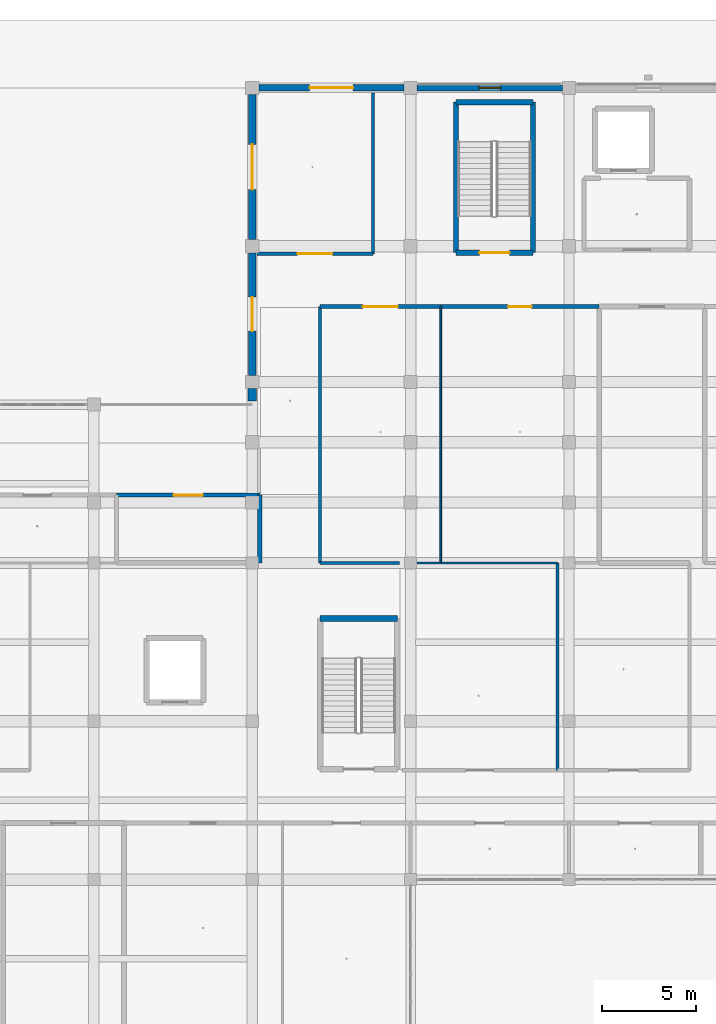
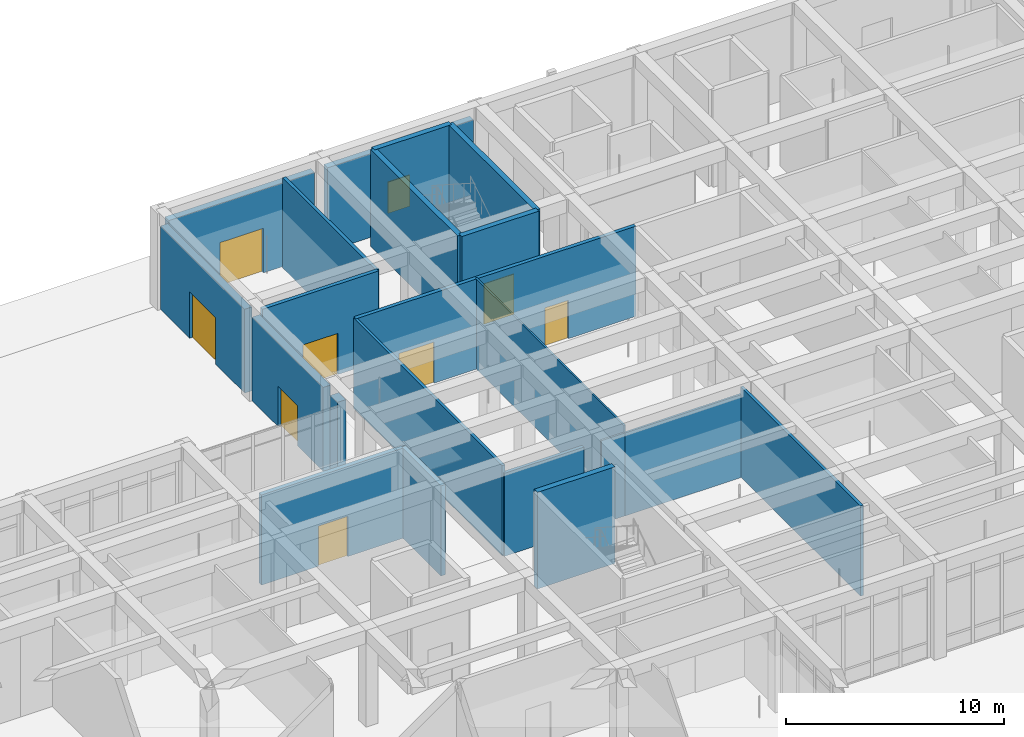
# One storey, part 72 of 167: 22 walls, 8 doors, 1 window, 9 openings.
"""IFC4 building model written with IfcOpenShell, lengths in metres."""

from ifc_helpers import new_model, si_unit, direction, frame, frame_2d, origin, place, context, subcontext, project, spatial, rectangle, extrude, material, layer, layer_set, type_object, element, fill, save


model = new_model("IFC4")

# Units and contexts
model_context = context("Model", 3, precision=1e-05, world=origin(), true_north=direction((0.0, 1.0)))
body_context = subcontext(model_context, "Body", "Model", "MODEL_VIEW")
ifc_project = project(units=[si_unit("LENGTHUNIT", "METRE"), si_unit("AREAUNIT", "SQUARE_METRE"), si_unit("VOLUMEUNIT", "CUBIC_METRE"), si_unit("PLANEANGLEUNIT", "RADIAN"), si_unit("MASSUNIT", "GRAM", prefix="KILO")], contexts=[model_context])

# Site, building, storey
site_placement = place(None, origin())
site = spatial("IfcSite", under=ifc_project, at=site_placement, CompositionType="ELEMENT")
building_placement = place(site_placement, origin())
building = spatial("IfcBuilding", under=site, at=building_placement, Name="Varncliffe General Hospital", CompositionType="ELEMENT")
storey_placement = place(building_placement, origin())
storey = spatial("IfcBuildingStorey", under=building, at=storey_placement, Name="L00", CompositionType="ELEMENT", Elevation=0.0)

# Wall, opening, door
ifc_material_1 = material(Name="Precast concrete C40/50 with insulated cream lime-cement stucco", Category="concrete")
ifc_layer_1 = layer(ifc_material_1, 0.3798828125)
ifc_layer_set_1 = layer_set([ifc_layer_1], Name="Precast concrete C40/50 with insulated cream lime-cement stucco")
wall_type_1 = type_object("IfcWallType", Name="Exterior Insulated Stucco Wall EW26 (380mm)", PredefinedType="SOLIDWALL", material=ifc_layer_set_1)
wall_1_placement = place(storey_placement, frame((109.199951171875, 116.748046875, 0.0), z_axis=(0.0, 0.0, 1.0), x_axis=(0.0, 1.0, 0.0)))
wall_1 = element("IfcWall", 1, at=wall_1_placement, inside=storey, type_object=wall_type_1, Name="L00 Exterior Stucco Wall EW26-26", PredefinedType="SOLIDWALL", context=body_context, shape_type="SweptSolid", body=[
    extrude(rectangle(XDim=7.703857421875, YDim=0.3798828125, at=frame_2d((3.85205078125, 0.0))), origin(), (0.0, 0.0, 1.0), 4.679931640625),
])
opening_1_placement = place(wall_1_placement, frame((2.652099609375, 0.0, 0.0)))
opening_1 = element("IfcOpeningElement", 2, at=opening_1_placement, cuts=wall_1, Name="Opening DE17", PredefinedType="OPENING", context=body_context, shape_type="SweptSolid", body=[
    extrude(rectangle(XDim=2.39990234375, YDim=2.60009765625, at=frame_2d((1.199951171875, 1.300048828125))), frame((0.0, 0.199951171875, 0.0), z_axis=(0.0, -1.0, 0.0), x_axis=(1.0, 0.0, 0.0)), (0.0, 0.0, 1.0), 0.39990234375),
])
ifc_material_2 = material(Name="Thermally broken bronze-anodized aluminium and safety glass door", Category="aluminium")
door_type_1 = type_object("IfcDoorType", Name="Exterior Pedestrian Door DE17 (2400x2600)", OperationType="NOTDEFINED", PredefinedType="DOOR", material=ifc_material_2)
door_1_placement = place(opening_1_placement, origin())
door_1 = element("IfcDoor", 3, at=door_1_placement, inside=storey, type_object=door_type_1, Name="Main Pedestrian Entrance and Final Exit Door FE-06", OperationType="DOUBLE_DOOR_SINGLE_SWING", OverallHeight=2.60009765625, OverallWidth=2.39990234375, PredefinedType="DOOR", context=body_context, shape_type="SweptSolid", body=[
    extrude(rectangle(XDim=2.39990234375, YDim=2.60009765625, at=frame_2d((1.199951171875, 1.300048828125))), frame((0.0, 0.02490234375, 0.0), z_axis=(0.0, -1.0, 0.0), x_axis=(1.0, 0.0, 0.0)), (0.0, 0.0, 1.0), 0.050048828125),
])
fill(opening_1, door_1)

# Wall, opening, window
ifc_layer_2 = layer(ifc_material_1, 0.330078125)
ifc_layer_set_2 = layer_set([ifc_layer_2], Name="Precast concrete C40/50 with insulated cream lime-cement stucco")
wall_type_2 = type_object("IfcWallType", Name="Exterior Insulated Stucco Wall EW33 (330mm)", PredefinedType="SOLIDWALL", material=ifc_layer_set_2)
wall_2_placement = place(storey_placement, frame((117.947998046875, 124.800048828125, 0.0), z_axis=(0.0, 0.0, 1.0), x_axis=(1.0, 0.0, 0.0)))
wall_2 = element("IfcWall", 4, at=wall_2_placement, inside=storey, type_object=wall_type_2, Name="L00 Exterior Stucco Wall EW33-28", PredefinedType="SOLIDWALL", context=body_context, shape_type="SweptSolid", body=[
    extrude(rectangle(XDim=7.7041015625, YDim=0.330078125, at=frame_2d((3.85205078125, 0.0))), origin(), (0.0, 0.0, 1.0), 4.679931640625),
])
opening_2_placement = place(wall_2_placement, frame((3.277099609375, 0.0, 0.89990234375)))
opening_2 = element("IfcOpeningElement", 5, at=opening_2_placement, cuts=wall_2, Name="Opening WN60", PredefinedType="OPENING", context=body_context, shape_type="SweptSolid", body=[
    extrude(rectangle(XDim=1.14990234375, YDim=1.75, at=frame_2d((0.574951171875, 0.875))), frame((0.0, 0.175048828125, 0.0), z_axis=(0.0, -1.0, 0.0), x_axis=(1.0, 0.0, 0.0)), (0.0, 0.0, 1.0), 0.35009765625),
])
ifc_material_3 = material(Name="Triple low-E argon insulated vision glazing", Category="glass")
window_type = type_object("IfcWindowType", Name="Triple-Glazed Hospital Window WN60 (1150x1750)", PartitioningType="SINGLE_PANEL", PredefinedType="WINDOW", material=ifc_material_3)
window_placement = place(opening_2_placement, origin())
window = element("IfcWindow", 6, at=window_placement, inside=storey, type_object=window_type, Name="L00 Hospital Window WN60-16", OverallHeight=1.75, OverallWidth=1.14990234375, PartitioningType="SINGLE_PANEL", PredefinedType="WINDOW", context=body_context, shape_type="SweptSolid", body=[
    extrude(rectangle(XDim=1.14990234375, YDim=1.75, at=frame_2d((0.574951171875, 0.875))), frame((0.0, 0.030029296875, 0.0), z_axis=(0.0, -1.0, 0.0), x_axis=(1.0, 0.0, 0.0)), (0.0, 0.0, 1.0), 0.06005859375),
])
fill(opening_2, window)

# Wall
ifc_material_4 = material(Name="Concrete C40/50 (CSA A23.1 40 MPa)", Category="concrete")
ifc_layer_3 = layer(ifc_material_4, 0.449951171875)
ifc_layer_set_3 = layer_set([ifc_layer_3], Name="Concrete C40/50 (CSA A23.1 40 MPa)")
wall_type_3 = type_object("IfcWallType", Name="Exterior Insulated Stucco Wall EW36 (450mm)", PredefinedType="SOLIDWALL", material=ifc_layer_set_3)
wall_3_placement = place(storey_placement, frame((109.199951171875, 108.195068359375, 0.0), z_axis=(0.0, 0.0, 1.0), x_axis=(0.0, 1.0, 0.0)))
element("IfcWall", 7, at=wall_3_placement, inside=storey, type_object=wall_type_3, Name="L00 Exterior Stucco Wall EW36-24", PredefinedType="SOLIDWALL", context=body_context, shape_type="SweptSolid", body=[
    extrude(rectangle(XDim=0.656982421875, YDim=0.449951171875, at=frame_2d((0.32861328125, 0.0))), origin(), (0.0, 0.0, 1.0), 4.679931640625),
])

# Wall, opening, door
ifc_layer_4 = layer(ifc_material_1, 0.35009765625)
ifc_layer_set_4 = layer_set([ifc_layer_4], Name="Precast concrete C40/50 with insulated cream lime-cement stucco")
wall_type_4 = type_object("IfcWallType", Name="Exterior Insulated Stucco Wall EW37 (350mm)", PredefinedType="SOLIDWALL", material=ifc_layer_set_4)
wall_4_placement = place(storey_placement, frame((109.548095703125, 124.800048828125, 0.0), z_axis=(0.0, 0.0, 1.0), x_axis=(1.0, 0.0, 0.0)))
wall_4 = element("IfcWall", 8, at=wall_4_placement, inside=storey, type_object=wall_type_4, Name="L00 Exterior Stucco Wall EW37-27", PredefinedType="SOLIDWALL", context=body_context, shape_type="SweptSolid", body=[
    extrude(rectangle(XDim=7.703857421875, YDim=0.35009765625, at=frame_2d((3.85205078125, 0.0))), origin(), (0.0, 0.0, 1.0), 4.679931640625),
])
opening_3_placement = place(wall_4_placement, frame((2.701904296875, 0.0, 0.0)))
opening_3 = element("IfcOpeningElement", 9, at=opening_3_placement, cuts=wall_4, Name="Opening DE14", PredefinedType="OPENING", context=body_context, shape_type="SweptSolid", body=[
    extrude(rectangle(XDim=2.300048828125, YDim=2.5, at=frame_2d((1.14990234375, 1.25))), frame((0.0, 0.18505859375, 0.0), z_axis=(0.0, -1.0, 0.0), x_axis=(1.0, 0.0, 0.0)), (0.0, 0.0, 1.0), 0.3701171875),
])
door_type_2 = type_object("IfcDoorType", Name="Exterior Pedestrian Door DE14 (2300x2500)", OperationType="NOTDEFINED", PredefinedType="DOOR", material=ifc_material_2)
door_2_placement = place(opening_3_placement, origin())
door_2 = element("IfcDoor", 10, at=door_2_placement, inside=storey, type_object=door_type_2, Name="Main Pedestrian Entrance and Final Exit Door FE-07", OperationType="DOUBLE_DOOR_SINGLE_SWING", OverallHeight=2.5, OverallWidth=2.300048828125, PredefinedType="DOOR", context=body_context, shape_type="SweptSolid", body=[
    extrude(rectangle(XDim=2.300048828125, YDim=2.5, at=frame_2d((1.14990234375, 1.25))), frame((0.0, 0.02490234375, 0.0), z_axis=(0.0, -1.0, 0.0), x_axis=(1.0, 0.0, 0.0)), (0.0, 0.0, 1.0), 0.050048828125),
])
fill(opening_3, door_2)

ifc_layer_5 = layer(ifc_material_1, 0.39990234375)
ifc_layer_set_5 = layer_set([ifc_layer_5], Name="Precast concrete C40/50 with insulated cream lime-cement stucco")
wall_type_5 = type_object("IfcWallType", Name="Exterior Insulated Stucco Wall EW47 (400mm)", PredefinedType="SOLIDWALL", material=ifc_layer_set_5)
wall_5_placement = place(storey_placement, frame((109.199951171875, 109.548095703125, 0.0), z_axis=(0.0, 0.0, 1.0), x_axis=(0.0, 1.0, 0.0)))
wall_5 = element("IfcWall", 11, at=wall_5_placement, inside=storey, type_object=wall_type_5, Name="L00 Exterior Stucco Wall EW47-25", PredefinedType="SOLIDWALL", context=body_context, shape_type="SweptSolid", body=[
    extrude(rectangle(XDim=6.50390625, YDim=0.39990234375, at=frame_2d((3.251953125, 0.0))), origin(), (0.0, 0.0, 1.0), 4.679931640625),
])
opening_4_placement = place(wall_5_placement, frame((2.35205078125, 0.0, 0.0)))
opening_4 = element("IfcOpeningElement", 12, at=opening_4_placement, cuts=wall_5, Name="Opening DE28", PredefinedType="OPENING", context=body_context, shape_type="SweptSolid", body=[
    extrude(rectangle(XDim=1.800048828125, YDim=2.25, at=frame_2d((0.89990234375, 1.125))), frame((0.0, 0.2099609375, 0.0), z_axis=(0.0, -1.0, 0.0), x_axis=(1.0, 0.0, 0.0)), (0.0, 0.0, 1.0), 0.419921875),
])
door_type_3 = type_object("IfcDoorType", Name="Exterior Pedestrian Door DE28 (1800x2250)", OperationType="NOTDEFINED", PredefinedType="DOOR", material=ifc_material_2)
door_3_placement = place(opening_4_placement, origin())
door_3 = element("IfcDoor", 13, at=door_3_placement, inside=storey, type_object=door_type_3, Name="Main Pedestrian Entrance and Final Exit Door FE-05", OperationType="DOUBLE_DOOR_SINGLE_SWING", OverallHeight=2.25, OverallWidth=1.800048828125, PredefinedType="DOOR", context=body_context, shape_type="SweptSolid", body=[
    extrude(rectangle(XDim=1.800048828125, YDim=2.25, at=frame_2d((0.89990234375, 1.125))), frame((0.0, 0.02490234375, 0.0), z_axis=(0.0, -1.0, 0.0), x_axis=(1.0, 0.0, 0.0)), (0.0, 0.0, 1.0), 0.050048828125),
])
fill(opening_4, door_3)

# Walls
ifc_material_5 = material(Name="Acoustic clinical gypsum stud partition assembly", Category="gypsum")
ifc_layer_6 = layer(ifc_material_5, 0.169921875)
ifc_layer_set_6 = layer_set([ifc_layer_6], Name="Acoustic clinical gypsum stud partition assembly")
wall_type_6 = type_object("IfcWallType", Name="Interior Partitioning IW20 (170mm)", PredefinedType="PARTITIONING", material=ifc_layer_set_6)
wall_6_placement = place(storey_placement, frame((112.800048828125, 99.60009765625, 0.0), z_axis=(0.0, 0.0, 1.0), x_axis=(1.0, 0.0, 0.0)))
element("IfcWall", 14, at=wall_6_placement, inside=storey, type_object=wall_type_6, Name="L00 Interior Partition Wall IW20-205", PredefinedType="PARTITIONING", context=body_context, shape_type="SweptSolid", body=[
    extrude(rectangle(XDim=4.199951171875, YDim=0.169921875, at=frame_2d((2.10009765625, 0.0))), origin(), (0.0, 0.0, 1.0), 4.635009765625),
])
wall_7_placement = place(storey_placement, frame((115.60009765625, 116.0, 0.0), z_axis=(0.0, 0.0, 1.0), x_axis=(0.0, 1.0, 0.0)))
element("IfcWall", 15, at=wall_7_placement, inside=storey, type_object=wall_type_6, Name="L00 Interior Partition Wall IW20-355", PredefinedType="PARTITIONING", context=body_context, shape_type="SweptSolid", body=[
    extrude(rectangle(XDim=8.5400390625, YDim=0.169921875, at=frame_2d((4.27001953125, 0.0))), origin(), (0.0, 0.0, 1.0), 5.0400390625),
])
ifc_layer_7 = layer(ifc_material_5, 0.14990234375)
ifc_layer_set_7 = layer_set([ifc_layer_7], Name="Acoustic clinical gypsum stud partition assembly")
wall_type_7 = type_object("IfcWallType", Name="Interior Partitioning IW35 (150mm)", PredefinedType="PARTITIONING", material=ifc_layer_set_7)
wall_8_placement = place(storey_placement, frame((112.800048828125, 99.60009765625, 0.0), z_axis=(0.0, 0.0, 1.0), x_axis=(0.0, 1.0, 0.0)))
element("IfcWall", 16, at=wall_8_placement, inside=storey, type_object=wall_type_7, Name="L00 Interior Partition Wall IW35-354", PredefinedType="PARTITIONING", context=body_context, shape_type="SweptSolid", body=[
    extrude(rectangle(XDim=13.599853515625, YDim=0.14990234375, at=frame_2d((6.7998046875, 0.0))), origin(), (0.0, 0.0, 1.0), 5.0400390625),
])
wall_9_placement = place(storey_placement, frame((125.39990234375, 88.60009765625, 0.0), z_axis=(0.0, 0.0, 1.0), x_axis=(0.0, 1.0, 0.0)))
element("IfcWall", 17, at=wall_9_placement, inside=storey, type_object=wall_type_7, Name="L00 Interior Partition Wall IW35-364", PredefinedType="PARTITIONING", context=body_context, shape_type="SweptSolid", body=[
    extrude(rectangle(XDim=11.0, YDim=0.14990234375, at=frame_2d((5.5, 0.0))), origin(), (0.0, 0.0, 1.0), 5.0400390625),
])
ifc_layer_8 = layer(ifc_material_5, 0.090087890625)
ifc_layer_set_8 = layer_set([ifc_layer_8], Name="Acoustic clinical gypsum stud partition assembly")
wall_type_8 = type_object("IfcWallType", Name="Interior Partitioning IW42 (90mm)", PredefinedType="PARTITIONING", material=ifc_layer_set_8)
wall_10_placement = place(storey_placement, frame((117.93994140625, 99.60009765625, 0.0), z_axis=(0.0, 0.0, 1.0), x_axis=(1.0, 0.0, 0.0)))
element("IfcWall", 18, at=wall_10_placement, inside=storey, type_object=wall_type_8, Name="L00 Interior Partition Wall IW42-206", PredefinedType="PARTITIONING", context=body_context, shape_type="SweptSolid", body=[
    extrude(rectangle(XDim=1.260009765625, YDim=0.090087890625, at=frame_2d((0.6298828125, 0.0))), origin(), (0.0, 0.0, 1.0), 4.635009765625),
])
wall_11_placement = place(storey_placement, frame((119.199951171875, 99.60009765625, 0.0), z_axis=(0.0, 0.0, 1.0), x_axis=(0.0, 1.0, 0.0)))
element("IfcWall", 19, at=wall_11_placement, inside=storey, type_object=wall_type_8, Name="L00 Interior Partition Wall IW42-361", PredefinedType="PARTITIONING", context=body_context, shape_type="SweptSolid", body=[
    extrude(rectangle(XDim=13.599853515625, YDim=0.090087890625, at=frame_2d((6.7998046875, 0.0))), origin(), (0.0, 0.0, 1.0), 5.0400390625),
])
ifc_layer_9 = layer(ifc_material_5, 0.110107421875)
ifc_layer_set_9 = layer_set([ifc_layer_9], Name="Acoustic clinical gypsum stud partition assembly")
wall_type_9 = type_object("IfcWallType", Name="Interior Partitioning IW65 (110mm)", PredefinedType="PARTITIONING", material=ifc_layer_set_9)
wall_12_placement = place(storey_placement, frame((119.199951171875, 99.60009765625, 0.0), z_axis=(0.0, 0.0, 1.0), x_axis=(1.0, 0.0, 0.0)))
element("IfcWall", 20, at=wall_12_placement, inside=storey, type_object=wall_type_9, Name="L00 Interior Partition Wall IW65-207", PredefinedType="PARTITIONING", context=body_context, shape_type="SweptSolid", body=[
    extrude(rectangle(XDim=6.199951171875, YDim=0.110107421875, at=frame_2d((3.10009765625, 0.0))), origin(), (0.0, 0.0, 1.0), 4.635009765625),
])

# Wall, opening, door
ifc_material_6 = material(Name="Fire-rated gypsum and mineral-wool partition assembly", Category="gypsum")
ifc_layer_10 = layer(ifc_material_6, 0.22998046875)
ifc_layer_set_10 = layer_set([ifc_layer_10], Name="Fire-rated gypsum and mineral-wool partition assembly")
wall_type_10 = type_object("IfcWallType", Name="Interior Partitioning PW48 (230mm)", PredefinedType="PARTITIONING", material=ifc_layer_set_10)
wall_13_placement = place(storey_placement, frame((102.0, 103.199951171875, 0.0), z_axis=(0.0, 0.0, 1.0), x_axis=(1.0, 0.0, 0.0)))
wall_13 = element("IfcWall", 21, at=wall_13_placement, inside=storey, type_object=wall_type_10, Name="L00 Interior Partition Wall PW48-226", PredefinedType="PARTITIONING", context=body_context, shape_type="SweptSolid", body=[
    extrude(rectangle(XDim=7.60009765625, YDim=0.22998046875, at=frame_2d((3.800048828125, 0.0))), origin(), (0.0, 0.0, 1.0), 5.0400390625),
])
opening_5_placement = place(wall_13_placement, frame((3.02490234375, 0.0, 0.0)))
opening_5 = element("IfcOpeningElement", 22, at=opening_5_placement, cuts=wall_13, Name="Opening DC67", PredefinedType="OPENING", context=body_context, shape_type="SweptSolid", body=[
    extrude(rectangle(XDim=1.550048828125, YDim=2.25, at=frame_2d((0.77490234375, 1.125))), frame((0.0, 0.125, 0.0), z_axis=(0.0, -1.0, 0.0), x_axis=(1.0, 0.0, 0.0)), (0.0, 0.0, 1.0), 0.25),
])
ifc_material_7 = material(Name="Fire-rated hospital steel-frame vision-panel door", Category="steel")
door_type_4 = type_object("IfcDoorType", Name="Interior Hospital Door DC67 (1550x2250)", OperationType="NOTDEFINED", PredefinedType="DOOR", material=ifc_material_7)
door_4_placement = place(opening_5_placement, frame((1.550048828125, 0.0, 0.0), z_axis=(0.0, 0.0, 1.0), x_axis=(-1.0, 0.0, 0.0)))
door_4 = element("IfcDoor", 23, at=door_4_placement, inside=storey, type_object=door_type_4, Name="L00 Ground Ward Clean Utility Store 148 Door", OperationType="SINGLE_SWING_RIGHT", OverallHeight=2.25, OverallWidth=1.550048828125, PredefinedType="DOOR", context=body_context, shape_type="SweptSolid", body=[
    extrude(rectangle(XDim=1.550048828125, YDim=2.25, at=frame_2d((0.77490234375, 1.125))), frame((0.0, 0.02490234375, 0.0), z_axis=(0.0, -1.0, 0.0), x_axis=(1.0, 0.0, 0.0)), (0.0, 0.0, 1.0), 0.050048828125),
])
fill(opening_5, door_4)

# Wall
wall_14_placement = place(storey_placement, frame((109.60009765625, 99.60009765625, 0.0), z_axis=(0.0, 0.0, 1.0), x_axis=(0.0, 1.0, 0.0)))
element("IfcWall", 24, at=wall_14_placement, inside=storey, type_object=wall_type_10, Name="L00 Interior Partition Wall PW48-350", PredefinedType="PARTITIONING", context=body_context, shape_type="SweptSolid", body=[
    extrude(rectangle(XDim=3.599853515625, YDim=0.22998046875, at=frame_2d((1.7998046875, 0.0))), origin(), (0.0, 0.0, 1.0), 5.0400390625),
])

# Wall, opening, door
ifc_layer_11 = layer(ifc_material_6, 0.199951171875)
ifc_layer_set_11 = layer_set([ifc_layer_11], Name="Fire-rated gypsum and mineral-wool partition assembly")
wall_type_11 = type_object("IfcWallType", Name="Interior Partitioning PW63 (200mm)", PredefinedType="PARTITIONING", material=ifc_layer_set_11)
wall_15_placement = place(storey_placement, frame((112.800048828125, 113.199951171875, 0.0), z_axis=(0.0, 0.0, 1.0), x_axis=(1.0, 0.0, 0.0)))
wall_15 = element("IfcWall", 25, at=wall_15_placement, inside=storey, type_object=wall_type_11, Name="L00 Interior Partition Wall PW63-235", PredefinedType="PARTITIONING", context=body_context, shape_type="SweptSolid", body=[
    extrude(rectangle(XDim=6.39990234375, YDim=0.199951171875, at=frame_2d((3.199951171875, 0.0))), origin(), (0.0, 0.0, 1.0), 5.0400390625),
])
opening_6_placement = place(wall_15_placement, frame((2.27490234375, 0.0, 0.0)))
opening_6 = element("IfcOpeningElement", 26, at=opening_6_placement, cuts=wall_15, Name="Opening DC38", PredefinedType="OPENING", context=body_context, shape_type="SweptSolid", body=[
    extrude(rectangle(XDim=1.85009765625, YDim=2.300048828125, at=frame_2d((0.925048828125, 1.14990234375))), frame((0.0, 0.10986328125, 0.0), z_axis=(0.0, -1.0, 0.0), x_axis=(1.0, 0.0, 0.0)), (0.0, 0.0, 1.0), 0.219970703125),
])
door_type_5 = type_object("IfcDoorType", Name="Interior Hospital Door DC38 (1850x2300)", OperationType="NOTDEFINED", PredefinedType="DOOR", material=ifc_material_7)
door_5_placement = place(opening_6_placement, frame((1.85009765625, 0.0, 0.0), z_axis=(0.0, 0.0, 1.0), x_axis=(-1.0, 0.0, 0.0)))
door_5 = element("IfcDoor", 27, at=door_5_placement, inside=storey, type_object=door_type_5, Name="L00 Outpatient Phlebotomy and Pre-Admission Clinic 122 Door", OperationType="SINGLE_SWING_LEFT", OverallHeight=2.300048828125, OverallWidth=1.85009765625, PredefinedType="DOOR", context=body_context, shape_type="SweptSolid", body=[
    extrude(rectangle(XDim=1.85009765625, YDim=2.300048828125, at=frame_2d((0.925048828125, 1.14990234375))), frame((0.0, 0.02490234375, 0.0), z_axis=(0.0, -1.0, 0.0), x_axis=(1.0, 0.0, 0.0)), (0.0, 0.0, 1.0), 0.050048828125),
])
fill(opening_6, door_5)

wall_16_placement = place(storey_placement, frame((119.199951171875, 113.199951171875, 0.0), z_axis=(0.0, 0.0, 1.0), x_axis=(1.0, 0.0, 0.0)))
wall_16 = element("IfcWall", 28, at=wall_16_placement, inside=storey, type_object=wall_type_11, Name="L00 Interior Partition Wall PW63-236", PredefinedType="PARTITIONING", context=body_context, shape_type="SweptSolid", body=[
    extrude(rectangle(XDim=8.400146484375, YDim=0.199951171875, at=frame_2d((4.2001953125, 0.0))), origin(), (0.0, 0.0, 1.0), 5.0400390625),
])
opening_7_placement = place(wall_16_placement, frame((3.574951171875, 0.0, 0.0)))
opening_7 = element("IfcOpeningElement", 29, at=opening_7_placement, cuts=wall_16, Name="Opening DC44", PredefinedType="OPENING", context=body_context, shape_type="SweptSolid", body=[
    extrude(rectangle(XDim=1.25, YDim=2.14990234375, at=frame_2d((0.625, 1.074951171875))), frame((0.0, 0.10986328125, 0.0), z_axis=(0.0, -1.0, 0.0), x_axis=(1.0, 0.0, 0.0)), (0.0, 0.0, 1.0), 0.219970703125),
])
door_type_6 = type_object("IfcDoorType", Name="Interior Hospital Door DC44 (1250x2150)", OperationType="NOTDEFINED", PredefinedType="DOOR", material=ifc_material_7)
door_6_placement = place(opening_7_placement, frame((1.25, 0.0, 0.0), z_axis=(0.0, 0.0, 1.0), x_axis=(-1.0, 0.0, 0.0)))
door_6 = element("IfcDoor", 30, at=door_6_placement, inside=storey, type_object=door_type_6, Name="L00 Rehabilitation Ambulation Training Room 123 Door", OperationType="SINGLE_SWING_RIGHT", OverallHeight=2.14990234375, OverallWidth=1.25, PredefinedType="DOOR", context=body_context, shape_type="SweptSolid", body=[
    extrude(rectangle(XDim=1.25, YDim=2.14990234375, at=frame_2d((0.625, 1.074951171875))), frame((0.0, 0.02490234375, 0.0), z_axis=(0.0, -1.0, 0.0), x_axis=(1.0, 0.0, 0.0)), (0.0, 0.0, 1.0), 0.050048828125),
])
fill(opening_7, door_6)

wall_17_placement = place(storey_placement, frame((109.4599609375, 116.0, 0.0), z_axis=(0.0, 0.0, 1.0), x_axis=(1.0, 0.0, 0.0)))
wall_17 = element("IfcWall", 31, at=wall_17_placement, inside=storey, type_object=wall_type_11, Name="L00 Interior Partition Wall PW63-249", PredefinedType="PARTITIONING", context=body_context, shape_type="SweptSolid", body=[
    extrude(rectangle(XDim=6.14013671875, YDim=0.199951171875, at=frame_2d((3.070068359375, 0.0))), origin(), (0.0, 0.0, 1.0), 5.0400390625),
])
opening_8_placement = place(wall_17_placement, frame((2.14501953125, 0.0, 0.0)))
opening_8 = element("IfcOpeningElement", 32, at=opening_8_placement, cuts=wall_17, Name="Opening DC38", PredefinedType="OPENING", context=body_context, shape_type="SweptSolid", body=[
    extrude(rectangle(XDim=1.85009765625, YDim=2.300048828125, at=frame_2d((0.925048828125, 1.14990234375))), frame((0.0, 0.10986328125, 0.0), z_axis=(0.0, -1.0, 0.0), x_axis=(1.0, 0.0, 0.0)), (0.0, 0.0, 1.0), 0.219970703125),
])
door_7_placement = place(opening_8_placement, origin())
door_7 = element("IfcDoor", 33, at=door_7_placement, inside=storey, type_object=door_type_5, Name="L00 Outpatient Phlebotomy and Pre-Admission Clinic 134 Door", OperationType="SINGLE_SWING_LEFT", OverallHeight=2.300048828125, OverallWidth=1.85009765625, PredefinedType="DOOR", context=body_context, shape_type="SweptSolid", body=[
    extrude(rectangle(XDim=1.85009765625, YDim=2.300048828125, at=frame_2d((0.925048828125, 1.14990234375))), frame((0.0, 0.02490234375, 0.0), z_axis=(0.0, -1.0, 0.0), x_axis=(1.0, 0.0, 0.0)), (0.0, 0.0, 1.0), 0.050048828125),
])
fill(opening_8, door_7)

# Walls
ifc_layer_12 = layer(ifc_material_4, 0.300048828125)
ifc_layer_set_12 = layer_set([ifc_layer_12], Name="Concrete C40/50 (CSA A23.1 40 MPa)")
wall_type_12 = type_object("IfcWallType", Name="Reinforced Concrete Core Shear Wall CW12 (300mm)", PredefinedType="SHEAR", material=ifc_layer_set_12)
wall_18_placement = place(storey_placement, frame((116.89990234375, 96.64990234375, 0.0), z_axis=(0.0, 0.0, 1.0), x_axis=(-1.0, 0.0, 0.0)))
element("IfcWall", 34, at=wall_18_placement, inside=storey, type_object=wall_type_12, Name="L00 ST06 Core Shear Wall F", PredefinedType="SHEAR", context=body_context, shape_type="SweptSolid", body=[
    extrude(rectangle(XDim=4.099853515625, YDim=0.300048828125, at=frame_2d((2.0498046875, 0.0))), origin(), (0.0, 0.0, 1.0), 5.39990234375),
])
ifc_layer_13 = layer(ifc_material_4, 0.280029296875)
ifc_layer_set_13 = layer_set([ifc_layer_13], Name="Concrete C40/50 (CSA A23.1 40 MPa)")
wall_type_13 = type_object("IfcWallType", Name="Reinforced Concrete Core Shear Wall CW13 (280mm)", PredefinedType="SHEAR", material=ifc_layer_set_13)
wall_19_placement = place(storey_placement, frame((124.090087890625, 116.06005859375, 0.0), z_axis=(0.0, 0.0, 1.0), x_axis=(0.0, 1.0, 0.0)))
element("IfcWall", 35, at=wall_19_placement, inside=storey, type_object=wall_type_13, Name="L00 ST03 Core Shear Wall L", PredefinedType="SHEAR", context=body_context, shape_type="SweptSolid", body=[
    extrude(rectangle(XDim=7.97998046875, YDim=0.280029296875, at=frame_2d((3.989990234375, 0.0))), origin(), (0.0, 0.0, 1.0), 5.39990234375),
])
wall_20_placement = place(storey_placement, frame((124.090087890625, 124.0400390625, 0.0), z_axis=(0.0, 0.0, 1.0), x_axis=(-1.0, 0.0, 0.0)))
element("IfcWall", 36, at=wall_20_placement, inside=storey, type_object=wall_type_13, Name="L00 ST03 Core Shear Wall F", PredefinedType="SHEAR", context=body_context, shape_type="SweptSolid", body=[
    extrude(rectangle(XDim=4.080078125, YDim=0.280029296875, at=frame_2d((2.0400390625, 0.0))), origin(), (0.0, 0.0, 1.0), 5.39990234375),
])
wall_21_placement = place(storey_placement, frame((120.010009765625, 124.0400390625, 0.0), z_axis=(0.0, 0.0, 1.0), x_axis=(0.0, -1.0, 0.0)))
element("IfcWall", 37, at=wall_21_placement, inside=storey, type_object=wall_type_13, Name="L00 ST03 Core Shear Wall R", PredefinedType="SHEAR", context=body_context, shape_type="SweptSolid", body=[
    extrude(rectangle(XDim=7.97998046875, YDim=0.280029296875, at=frame_2d((3.989990234375, 0.0))), origin(), (0.0, 0.0, 1.0), 5.39990234375),
])

# Wall, opening, door
wall_22_placement = place(storey_placement, frame((120.010009765625, 116.06005859375, 0.0), z_axis=(0.0, 0.0, 1.0), x_axis=(1.0, 0.0, 0.0)))
wall_22 = element("IfcWall", 38, at=wall_22_placement, inside=storey, type_object=wall_type_13, Name="L00 ST03 Core Shear Wall N", PredefinedType="SHEAR", context=body_context, shape_type="SweptSolid", body=[
    extrude(rectangle(XDim=4.080078125, YDim=0.280029296875, at=frame_2d((2.0400390625, 0.0))), origin(), (0.0, 0.0, 1.0), 5.39990234375),
])
opening_9_placement = place(wall_22_placement, frame((1.239990234375, 0.0, 0.0)))
opening_9 = element("IfcOpeningElement", 39, at=opening_9_placement, cuts=wall_22, Name="Opening DF27", PredefinedType="OPENING", context=body_context, shape_type="SweptSolid", body=[
    extrude(rectangle(XDim=1.60009765625, YDim=2.25, at=frame_2d((0.800048828125, 1.125))), frame((0.0, 0.14990234375, 0.0), z_axis=(0.0, -1.0, 0.0), x_axis=(1.0, 0.0, 0.0)), (0.0, 0.0, 1.0), 0.300048828125),
])
door_type_7 = type_object("IfcDoorType", Name="Interior Hospital Door DF27 (1600x2250)", OperationType="NOTDEFINED", PredefinedType="DOOR", material=ifc_material_7)
door_8_placement = place(opening_9_placement, origin())
door_8 = element("IfcDoor", 40, at=door_8_placement, inside=storey, type_object=door_type_7, Name="L00 ST03 Protected Exit Stair Door", OperationType="SINGLE_SWING_RIGHT", OverallHeight=2.25, OverallWidth=1.60009765625, PredefinedType="DOOR", context=body_context, shape_type="SweptSolid", body=[
    extrude(rectangle(XDim=1.60009765625, YDim=2.25, at=frame_2d((0.800048828125, 1.125))), frame((0.0, 0.02490234375, 0.0), z_axis=(0.0, -1.0, 0.0), x_axis=(1.0, 0.0, 0.0)), (0.0, 0.0, 1.0), 0.050048828125),
])
fill(opening_9, door_8)

save(model, "model.ifc")
